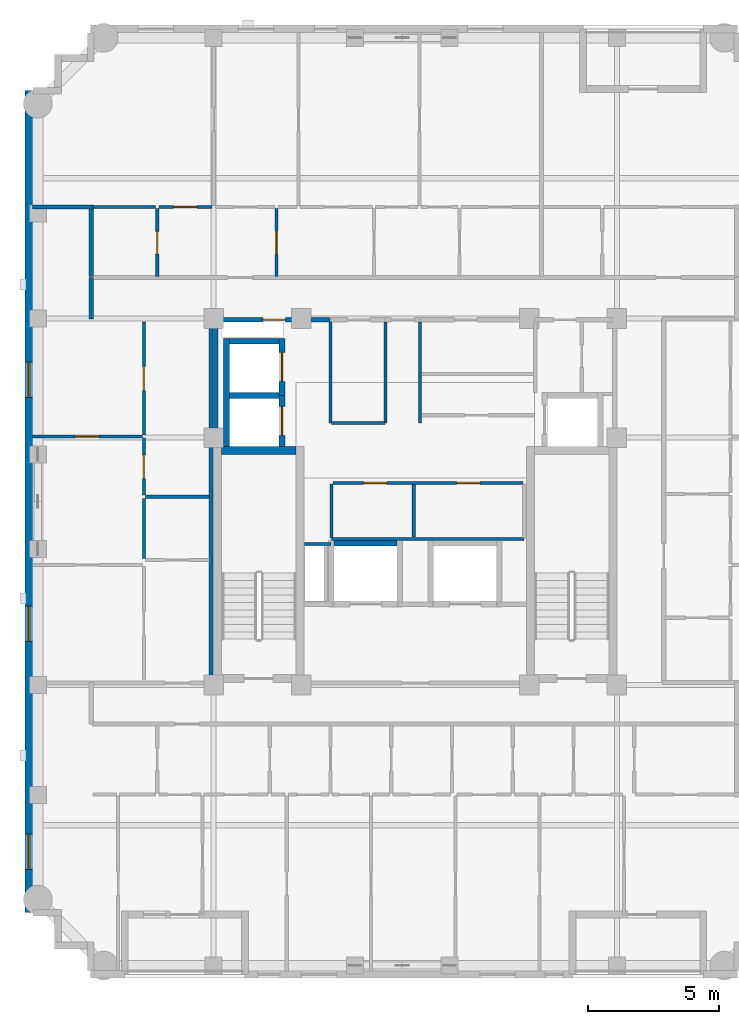
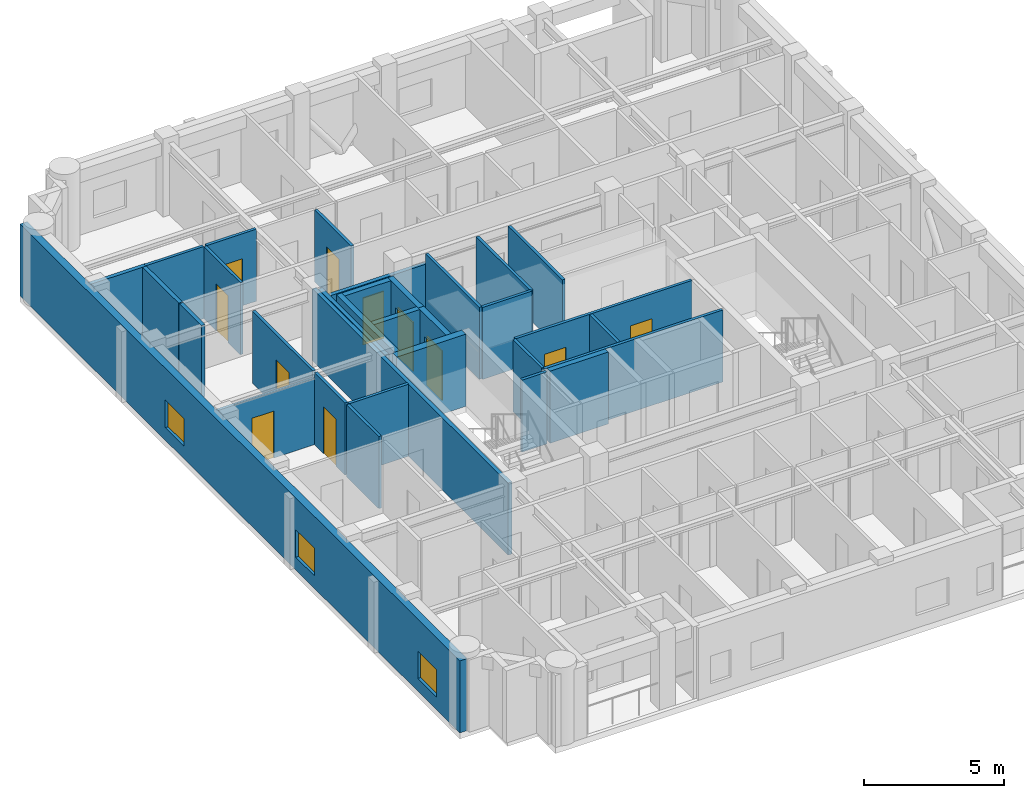
# One storey, part 5 of 11: 32 walls, 11 doors, 3 windows, 14 openings.
"""IFC4 building model written with IfcOpenShell, lengths in metres."""

from ifc_helpers import new_model, si_unit, derived_unit, direction, frame, frame_2d, origin, place, context, subcontext, project, spatial, rectangle, extrude, material, layer, layer_set, type_object, element, fill, save


model = new_model("IFC4")

# Units and contexts
model_context = context("Model", 3, precision=1e-05, world=origin(), true_north=direction((0.0, 1.0)))
body_context = subcontext(model_context, "Body", "Model", "MODEL_VIEW")
ifc_project = project(units=[si_unit("LENGTHUNIT", "METRE"), si_unit("AREAUNIT", "SQUARE_METRE"), si_unit("VOLUMEUNIT", "CUBIC_METRE"), si_unit("PLANEANGLEUNIT", "RADIAN"), si_unit("MASSUNIT", "GRAM", prefix="KILO"), derived_unit("THERMALTRANSMITTANCEUNIT", [(si_unit("MASSUNIT", "GRAM", prefix="KILO"), 1), (si_unit("TIMEUNIT", "SECOND"), -3), (si_unit("THERMODYNAMICTEMPERATUREUNIT", "KELVIN"), -1)])], contexts=[model_context])

# Site, building, storey
site_placement = place(None, origin())
site = spatial("IfcSite", under=ifc_project, at=site_placement, CompositionType="ELEMENT")
building_placement = place(site_placement, origin())
building = spatial("IfcBuilding", under=site, at=building_placement, Name="Korrvale Station Residences", CompositionType="ELEMENT")
storey_placement = place(building_placement, frame((0.0, 0.0, 230.89990234375)))
storey = spatial("IfcBuildingStorey", under=building, at=storey_placement, Name="L67", CompositionType="ELEMENT", Elevation=230.89990234375)

# Wall
ifc_material_1 = material(Name="Concrete C50/60", Category="concrete")
ifc_layer_1 = layer(ifc_material_1, 0.300048828125, Name="Concrete C50/60")
ifc_layer_set_1 = layer_set([ifc_layer_1], Name="Concrete C50/60")
wall_type_1 = type_object("IfcWallType", Name="WAL-CORE-300-C50", PredefinedType="SHEAR", material=ifc_layer_set_1)
wall_1_placement = place(storey_placement, frame((18.10009765625, 23.949951171875, 0.0), z_axis=(0.0, 0.0, 1.0), x_axis=(1.0, 0.0, 0.0)))
element("IfcWall", 1, at=wall_1_placement, inside=storey, type_object=wall_type_1, Name="L67 ST-1 Core Shear Wall North", PredefinedType="SHEAR", context=body_context, shape_type="SweptSolid", body=[
    extrude(rectangle(XDim=2.849853515625, YDim=0.300048828125, at=frame_2d((1.4248046875, 0.0))), origin(), (0.0, 0.0, 1.0), 3.14013671875),
])

# Wall, openings, windows
ifc_material_2 = material(Name="Precast concrete C45/55", Category="concrete")
ifc_layer_2 = layer(ifc_material_2, 0.300048828125, Name="Precast concrete C45/55")
ifc_layer_set_2 = layer_set([ifc_layer_2], Name="Precast concrete C45/55")
wall_type_2 = type_object("IfcWallType", Name="WAL-EXT-PC300", PredefinedType="SOLIDWALL", material=ifc_layer_set_2)
wall_2_placement = place(storey_placement, frame((10.75, 6.300048828125, 0.0), z_axis=(0.0, 0.0, 1.0), x_axis=(0.0, 1.0, 0.0)))
wall_2 = element("IfcWall", 2, at=wall_2_placement, inside=storey, type_object=wall_type_2, Name="L67 West Exterior Precast Wall 1", PredefinedType="SOLIDWALL", context=body_context, shape_type="SweptSolid", body=[
    extrude(rectangle(XDim=31.39990234375, YDim=0.300048828125, at=frame_2d((15.699951171875, 0.0))), origin(), (0.0, 0.0, 1.0), 3.14013671875),
])
opening_1_placement = place(wall_2_placement, frame((1.653076171875, 0.0, 0.550048828125)))
opening_1 = element("IfcOpeningElement", 3, at=opening_1_placement, cuts=wall_2, Name="Opening W-10", PredefinedType="OPENING", context=body_context, shape_type="SweptSolid", body=[
    extrude(rectangle(XDim=1.35009765625, YDim=1.199951171875, at=frame_2d((0.675048828125, 0.60009765625))), frame((0.0, 0.16015625, 0.0), z_axis=(0.0, -1.0, 0.0), x_axis=(1.0, 0.0, 0.0)), (0.0, 0.0, 1.0), 0.320068359375),
])
opening_2_placement = place(wall_2_placement, frame((10.366943359375, 0.0, 0.550048828125)))
opening_2 = element("IfcOpeningElement", 4, at=opening_2_placement, cuts=wall_2, Name="Opening W-10", PredefinedType="OPENING", context=body_context, shape_type="SweptSolid", body=[
    extrude(rectangle(XDim=1.35009765625, YDim=1.199951171875, at=frame_2d((0.675048828125, 0.60009765625))), frame((0.0, 0.16015625, 0.0), z_axis=(0.0, -1.0, 0.0), x_axis=(1.0, 0.0, 0.0)), (0.0, 0.0, 1.0), 0.320068359375),
])
opening_3_placement = place(wall_2_placement, frame((19.68310546875, 0.0, 0.550048828125)))
opening_3 = element("IfcOpeningElement", 5, at=opening_3_placement, cuts=wall_2, Name="Opening W-10", PredefinedType="OPENING", context=body_context, shape_type="SweptSolid", body=[
    extrude(rectangle(XDim=1.35009765625, YDim=1.199951171875, at=frame_2d((0.675048828125, 0.60009765625))), frame((0.0, 0.16015625, 0.0), z_axis=(0.0, -1.0, 0.0), x_axis=(1.0, 0.0, 0.0)), (0.0, 0.0, 1.0), 0.320068359375),
])
ifc_material_3 = material(Name="Thermally broken aluminium frame with triple low-e glazing", Category="aluminium")
window_type = type_object("IfcWindowType", Name="WIN-W10", PartitioningType="SINGLE_PANEL", PredefinedType="WINDOW", material=ifc_material_3)
window_1_placement = place(opening_1_placement, origin())
window_1 = element("IfcWindow", 6, at=window_1_placement, inside=storey, type_object=window_type, Name="L67 Punched Window 01", OverallHeight=1.199951171875, OverallWidth=1.35009765625, PartitioningType="SINGLE_PANEL", PredefinedType="WINDOW", context=body_context, shape_type="SweptSolid", body=[
    extrude(rectangle(XDim=1.35009765625, YDim=1.199951171875, at=frame_2d((0.675048828125, 0.60009765625))), frame((0.0, 0.030029296875, 0.0), z_axis=(0.0, -1.0, 0.0), x_axis=(1.0, 0.0, 0.0)), (0.0, 0.0, 1.0), 0.06005859375),
])
fill(opening_1, window_1)
window_2_placement = place(opening_2_placement, origin())
window_2 = element("IfcWindow", 7, at=window_2_placement, inside=storey, type_object=window_type, Name="L67 Punched Window 13", OverallHeight=1.199951171875, OverallWidth=1.35009765625, PartitioningType="SINGLE_PANEL", PredefinedType="WINDOW", context=body_context, shape_type="SweptSolid", body=[
    extrude(rectangle(XDim=1.35009765625, YDim=1.199951171875, at=frame_2d((0.675048828125, 0.60009765625))), frame((0.0, 0.030029296875, 0.0), z_axis=(0.0, -1.0, 0.0), x_axis=(1.0, 0.0, 0.0)), (0.0, 0.0, 1.0), 0.06005859375),
])
fill(opening_2, window_2)
window_3_placement = place(opening_3_placement, origin())
window_3 = element("IfcWindow", 8, at=window_3_placement, inside=storey, type_object=window_type, Name="L67 Punched Window 14", OverallHeight=1.199951171875, OverallWidth=1.35009765625, PartitioningType="SINGLE_PANEL", PredefinedType="WINDOW", context=body_context, shape_type="SweptSolid", body=[
    extrude(rectangle(XDim=1.35009765625, YDim=1.199951171875, at=frame_2d((0.675048828125, 0.60009765625))), frame((0.0, 0.030029296875, 0.0), z_axis=(0.0, -1.0, 0.0), x_axis=(1.0, 0.0, 0.0)), (0.0, 0.0, 1.0), 0.06005859375),
])
fill(opening_3, window_3)

# Walls
ifc_material_4 = material(Name="Acoustic steel-stud gypsum board partition", Category="steel")
ifc_layer_3 = layer(ifc_material_4, 0.1201171875, Name="Acoustic steel-stud gypsum board partition")
ifc_layer_set_3 = layer_set([ifc_layer_3], Name="Acoustic steel-stud gypsum board partition")
wall_type_3 = type_object("IfcWallType", Name="WAL-PART-125", PredefinedType="PARTITIONING", material=ifc_layer_set_3)
wall_3_placement = place(storey_placement, frame((22.280029296875, 20.3798828125, 0.0), z_axis=(0.0, 0.0, 1.0), x_axis=(-1.0, 0.0, 0.0)))
element("IfcWall", 9, at=wall_3_placement, inside=storey, type_object=wall_type_3, Name="L67 Core Partition CW-RSWT-N", PredefinedType="PARTITIONING", context=body_context, shape_type="SweptSolid", body=[
    extrude(rectangle(XDim=1.02001953125, YDim=0.1201171875, at=frame_2d((0.510009765625, 0.0))), origin(), (0.0, 0.0, 1.0), 3.14013671875),
])
for number, where, z_axis, x_axis, name in (
    (10, (24.360107421875, 25.0, 0.0), (0.0, 0.0, 1.0), (0.0, 1.0, 0.0), "L67 Core Partition CW-PSG-W"),
    (11, (25.679931640625, 25.0, 0.0), (0.0, 0.0, 1.0), (0.0, 1.0, 0.0), "L67 Core Partition CW-PSG-E"),
):
    element("IfcWall", number, at=place(storey_placement, frame(where, z_axis=z_axis, x_axis=x_axis)), inside=storey, type_object=wall_type_3, Name=name, PredefinedType="PARTITIONING", context=body_context, shape_type="SweptSolid", body=[
        extrude(rectangle(XDim=3.8701171875, YDim=0.1201171875, at=frame_2d((1.93505859375, 0.0))), origin(), (0.0, 0.0, 1.0), 3.14013671875),
    ])
wall_4_placement = place(storey_placement, frame((22.260009765625, 25.0, 0.0), z_axis=(0.0, 0.0, 1.0), x_axis=(0.0, 1.0, 0.0)))
element("IfcWall", 12, at=wall_4_placement, inside=storey, type_object=wall_type_3, Name="L67 Core Partition CW-FPLW-W", PredefinedType="PARTITIONING", context=body_context, shape_type="SweptSolid", body=[
    extrude(rectangle(XDim=3.860107421875, YDim=0.1201171875, at=frame_2d((1.93017578125, 0.0))), origin(), (0.0, 0.0, 1.0), 3.14013671875),
])
wall_5_placement = place(storey_placement, frame((22.300048828125, 25.0, 0.0), z_axis=(0.0, 0.0, 1.0), x_axis=(1.0, 0.0, 0.0)))
element("IfcWall", 13, at=wall_5_placement, inside=storey, type_object=wall_type_3, Name="L67 Core Partition CW-FPLW-S", PredefinedType="PARTITIONING", context=body_context, shape_type="SweptSolid", body=[
    extrude(rectangle(XDim=2.0400390625, YDim=0.1201171875, at=frame_2d((1.02001953125, 0.0))), origin(), (0.0, 0.0, 1.0), 3.14013671875),
])
wall_6_placement = place(storey_placement, frame((22.300048828125, 20.580078125, 0.0), z_axis=(0.0, 0.0, 1.0), x_axis=(1.0, 0.0, 0.0)))
element("IfcWall", 14, at=wall_6_placement, inside=storey, type_object=wall_type_3, Name="L67 Core Partition CW-FPM-S", PredefinedType="PARTITIONING", context=body_context, shape_type="SweptSolid", body=[
    extrude(rectangle(XDim=7.349853515625, YDim=0.1201171875, at=frame_2d((3.6748046875, 0.0))), origin(), (0.0, 0.0, 1.0), 3.14013671875),
])
wall_7_placement = place(storey_placement, frame((22.300048828125, 20.6201171875, 0.0), z_axis=(0.0, 0.0, 1.0), x_axis=(0.0, 1.0, 0.0)))
element("IfcWall", 15, at=wall_7_placement, inside=storey, type_object=wall_type_3, Name="L67 Core Partition CW-FPM-W", PredefinedType="PARTITIONING", context=body_context, shape_type="SweptSolid", body=[
    extrude(rectangle(XDim=2.059814453125, YDim=0.1201171875, at=frame_2d((1.02978515625, 0.0))), origin(), (0.0, 0.0, 1.0), 3.14013671875),
])
wall_8_placement = place(storey_placement, frame((25.43994140625, 20.64990234375, 0.0), z_axis=(0.0, 0.0, 1.0), x_axis=(0.0, 1.0, 0.0)))
element("IfcWall", 16, at=wall_8_placement, inside=storey, type_object=wall_type_3, Name="L67 Core Partition CW-FPM-M", PredefinedType="PARTITIONING", context=body_context, shape_type="SweptSolid", body=[
    extrude(rectangle(XDim=2.0, YDim=0.1201171875, at=frame_2d((1.0, 0.0))), origin(), (0.0, 0.0, 1.0), 3.14013671875),
])

# Wall, openings, doors
wall_9_placement = place(storey_placement, frame((22.35009765625, 22.719970703125, 0.0), z_axis=(0.0, 0.0, 1.0), x_axis=(1.0, 0.0, 0.0)))
wall_9 = element("IfcWall", 17, at=wall_9_placement, inside=storey, type_object=wall_type_3, Name="L67 Core Partition CW-FPM-N", PredefinedType="PARTITIONING", context=body_context, shape_type="SweptSolid", body=[
    extrude(rectangle(XDim=7.27001953125, YDim=0.1201171875, at=frame_2d((3.635009765625, 0.0))), origin(), (0.0, 0.0, 1.0), 3.14013671875),
])
opening_4_placement = place(wall_9_placement, frame((1.175048828125, 0.0, 0.0)))
opening_4 = element("IfcOpeningElement", 18, at=opening_4_placement, cuts=wall_9, Name="Opening DI-900", PredefinedType="OPENING", context=body_context, shape_type="SweptSolid", body=[
    extrude(rectangle(XDim=0.89990234375, YDim=2.050048828125, at=frame_2d((0.449951171875, 1.02490234375))), frame((0.0, 0.070068359375, 0.0), z_axis=(0.0, -1.0, 0.0), x_axis=(1.0, 0.0, 0.0)), (0.0, 0.0, 1.0), 0.14013671875),
])
opening_5_placement = place(wall_9_placement, frame((4.72509765625, 0.0, 0.0)))
opening_5 = element("IfcOpeningElement", 19, at=opening_5_placement, cuts=wall_9, Name="Opening DI-900", PredefinedType="OPENING", context=body_context, shape_type="SweptSolid", body=[
    extrude(rectangle(XDim=0.89990234375, YDim=2.050048828125, at=frame_2d((0.449951171875, 1.02490234375))), frame((0.0, 0.070068359375, 0.0), z_axis=(0.0, -1.0, 0.0), x_axis=(1.0, 0.0, 0.0)), (0.0, 0.0, 1.0), 0.14013671875),
])
ifc_material_5 = material(Name="Painted solid-core timber interior room door", Category="wood")
door_type_1 = type_object("IfcDoorType", Name="DR-INT-900", OperationType="NOTDEFINED", PredefinedType="DOOR", material=ifc_material_5)
door_1_placement = place(opening_4_placement, origin())
door_1 = element("IfcDoor", 20, at=door_1_placement, inside=storey, type_object=door_type_1, Name="L67 Sky Pantry Door", OperationType="SINGLE_SWING_RIGHT", OverallHeight=2.050048828125, OverallWidth=0.89990234375, PredefinedType="DOOR", context=body_context, shape_type="SweptSolid", body=[
    extrude(rectangle(XDim=0.89990234375, YDim=2.050048828125, at=frame_2d((0.449951171875, 1.02490234375))), frame((0.0, 0.02490234375, 0.0), z_axis=(0.0, -1.0, 0.0), x_axis=(1.0, 0.0, 0.0)), (0.0, 0.0, 1.0), 0.050048828125),
])
fill(opening_4, door_1)
door_2_placement = place(opening_5_placement, origin())
door_2 = element("IfcDoor", 21, at=door_2_placement, inside=storey, type_object=door_type_1, Name="L67 Concierge Supply Door", OperationType="SINGLE_SWING_LEFT", OverallHeight=2.050048828125, OverallWidth=0.89990234375, PredefinedType="DOOR", context=body_context, shape_type="SweptSolid", body=[
    extrude(rectangle(XDim=0.89990234375, YDim=2.050048828125, at=frame_2d((0.449951171875, 1.02490234375))), frame((0.0, 0.02490234375, 0.0), z_axis=(0.0, -1.0, 0.0), x_axis=(1.0, 0.0, 0.0)), (0.0, 0.0, 1.0), 0.050048828125),
])
fill(opening_5, door_2)

# Wall, opening, door
wall_10_placement = place(storey_placement, frame((15.639892578125, 30.60009765625, 0.0), z_axis=(0.0, 0.0, 1.0), x_axis=(0.0, 1.0, 0.0)))
wall_10 = element("IfcWall", 22, at=wall_10_placement, inside=storey, type_object=wall_type_3, Name="L67 Suite Partition U02-V01", PredefinedType="PARTITIONING", context=body_context, shape_type="SweptSolid", body=[
    extrude(rectangle(XDim=2.599853515625, YDim=0.1201171875, at=frame_2d((1.2998046875, 0.0))), origin(), (0.0, 0.0, 1.0), 3.14013671875),
])
opening_6_placement = place(wall_10_placement, frame((0.8701171875, 0.0, 0.0)))
opening_6 = element("IfcOpeningElement", 23, at=opening_6_placement, cuts=wall_10, Name="Opening DB-860", PredefinedType="OPENING", context=body_context, shape_type="SweptSolid", body=[
    extrude(rectangle(XDim=0.860107421875, YDim=2.050048828125, at=frame_2d((0.43017578125, 1.02490234375))), frame((0.0, 0.070068359375, 0.0), z_axis=(0.0, -1.0, 0.0), x_axis=(1.0, 0.0, 0.0)), (0.0, 0.0, 1.0), 0.14013671875),
])
ifc_material_6 = material(Name="Moisture-resistant solid-core bathroom door", Category="timber")
door_type_2 = type_object("IfcDoorType", Name="DR-BATH-860", OperationType="NOTDEFINED", PredefinedType="DOOR", material=ifc_material_6)
door_3_placement = place(opening_6_placement, origin())
door_3 = element("IfcDoor", 24, at=door_3_placement, inside=storey, type_object=door_type_2, Name="L67 Apartment 2BR L67-U02 Bathroom Door", OperationType="SINGLE_SWING_RIGHT", OverallHeight=2.050048828125, OverallWidth=0.860107421875, PredefinedType="DOOR", context=body_context, shape_type="SweptSolid", body=[
    extrude(rectangle(XDim=0.860107421875, YDim=2.050048828125, at=frame_2d((0.43017578125, 1.02490234375))), frame((0.0, 0.02490234375, 0.0), z_axis=(0.0, -1.0, 0.0), x_axis=(1.0, 0.0, 0.0)), (0.0, 0.0, 1.0), 0.050048828125),
])
fill(opening_6, door_3)

# Wall
wall_11_placement = place(storey_placement, frame((13.179931640625, 33.260009765625, 0.0), z_axis=(0.0, 0.0, 1.0), x_axis=(1.0, 0.0, 0.0)))
element("IfcWall", 25, at=wall_11_placement, inside=storey, type_object=wall_type_3, Name="L67 Suite Partition U02-H05", PredefinedType="PARTITIONING", context=body_context, shape_type="SweptSolid", body=[
    extrude(rectangle(XDim=2.400146484375, YDim=0.1201171875, at=frame_2d((1.2001953125, 0.0))), origin(), (0.0, 0.0, 1.0), 3.14013671875),
])

# Wall, opening, door
wall_12_placement = place(storey_placement, frame((20.199951171875, 30.60009765625, 0.0), z_axis=(0.0, 0.0, 1.0), x_axis=(0.0, 1.0, 0.0)))
wall_12 = element("IfcWall", 26, at=wall_12_placement, inside=storey, type_object=wall_type_3, Name="L67 Suite Partition U02-V12", PredefinedType="PARTITIONING", context=body_context, shape_type="SweptSolid", body=[
    extrude(rectangle(XDim=2.599853515625, YDim=0.1201171875, at=frame_2d((1.2998046875, 0.0))), origin(), (0.0, 0.0, 1.0), 3.14013671875),
])
opening_7_placement = place(wall_12_placement, frame((0.85009765625, 0.0, 0.0)))
opening_7 = element("IfcOpeningElement", 27, at=opening_7_placement, cuts=wall_12, Name="Opening DI-900", PredefinedType="OPENING", context=body_context, shape_type="SweptSolid", body=[
    extrude(rectangle(XDim=0.89990234375, YDim=2.050048828125, at=frame_2d((0.449951171875, 1.02490234375))), frame((0.0, 0.070068359375, 0.0), z_axis=(0.0, -1.0, 0.0), x_axis=(1.0, 0.0, 0.0)), (0.0, 0.0, 1.0), 0.14013671875),
])
door_4_placement = place(opening_7_placement, origin())
door_4 = element("IfcDoor", 28, at=door_4_placement, inside=storey, type_object=door_type_1, Name="L67 Apartment 2BR L67-U02 Kitchen Door", OperationType="SINGLE_SWING_LEFT", OverallHeight=2.050048828125, OverallWidth=0.89990234375, PredefinedType="DOOR", context=body_context, shape_type="SweptSolid", body=[
    extrude(rectangle(XDim=0.89990234375, YDim=2.050048828125, at=frame_2d((0.449951171875, 1.02490234375))), frame((0.0, 0.02490234375, 0.0), z_axis=(0.0, -1.0, 0.0), x_axis=(1.0, 0.0, 0.0)), (0.0, 0.0, 1.0), 0.050048828125),
])
fill(opening_7, door_4)

wall_13_placement = place(storey_placement, frame((15.699951171875, 33.260009765625, 0.0), z_axis=(0.0, 0.0, 1.0), x_axis=(1.0, 0.0, 0.0)))
wall_13 = element("IfcWall", 29, at=wall_13_placement, inside=storey, type_object=wall_type_3, Name="L67 Suite Partition U02-H15", PredefinedType="PARTITIONING", context=body_context, shape_type="SweptSolid", body=[
    extrude(rectangle(XDim=2.0400390625, YDim=0.1201171875, at=frame_2d((1.02001953125, 0.0))), origin(), (0.0, 0.0, 1.0), 3.14013671875),
])
opening_8_placement = place(wall_13_placement, frame((0.570068359375, 0.0, 0.0)))
opening_8 = element("IfcOpeningElement", 30, at=opening_8_placement, cuts=wall_13, Name="Opening DI-900", PredefinedType="OPENING", context=body_context, shape_type="SweptSolid", body=[
    extrude(rectangle(XDim=0.89990234375, YDim=2.050048828125, at=frame_2d((0.449951171875, 1.02490234375))), frame((0.0, 0.070068359375, 0.0), z_axis=(0.0, -1.0, 0.0), x_axis=(1.0, 0.0, 0.0)), (0.0, 0.0, 1.0), 0.14013671875),
])
door_5_placement = place(opening_8_placement, origin())
door_5 = element("IfcDoor", 31, at=door_5_placement, inside=storey, type_object=door_type_1, Name="L67 Apartment 2BR L67-U02 Kitchen Door", OperationType="SINGLE_SWING_RIGHT", OverallHeight=2.050048828125, OverallWidth=0.89990234375, PredefinedType="DOOR", context=body_context, shape_type="SweptSolid", body=[
    extrude(rectangle(XDim=0.89990234375, YDim=2.050048828125, at=frame_2d((0.449951171875, 1.02490234375))), frame((0.0, 0.02490234375, 0.0), z_axis=(0.0, -1.0, 0.0), x_axis=(1.0, 0.0, 0.0)), (0.0, 0.0, 1.0), 0.050048828125),
])
fill(opening_8, door_5)

# Wall
wall_14_placement = place(storey_placement, frame((15.18994140625, 22.18994140625, 0.0), z_axis=(0.0, 0.0, 1.0), x_axis=(1.0, 0.0, 0.0)))
element("IfcWall", 32, at=wall_14_placement, inside=storey, type_object=wall_type_3, Name="L67 Suite Partition U04-H01", PredefinedType="PARTITIONING", context=body_context, shape_type="SweptSolid", body=[
    extrude(rectangle(XDim=2.449951171875, YDim=0.1201171875, at=frame_2d((1.22509765625, 0.0))), origin(), (0.0, 0.0, 1.0), 3.14013671875),
])

# Wall, opening, door
wall_15_placement = place(storey_placement, frame((15.1298828125, 22.25, 0.0), z_axis=(0.0, 0.0, 1.0), x_axis=(0.0, 1.0, 0.0)))
wall_15 = element("IfcWall", 33, at=wall_15_placement, inside=storey, type_object=wall_type_3, Name="L67 Suite Partition U04-V04", PredefinedType="PARTITIONING", context=body_context, shape_type="SweptSolid", body=[
    extrude(rectangle(XDim=2.181884765625, YDim=0.1201171875, at=frame_2d((1.0908203125, 0.0))), origin(), (0.0, 0.0, 1.0), 3.14013671875),
])
opening_9_placement = place(wall_15_placement, frame((0.64111328125, 0.0, 0.0)))
opening_9 = element("IfcOpeningElement", 34, at=opening_9_placement, cuts=wall_15, Name="Opening DI-900", PredefinedType="OPENING", context=body_context, shape_type="SweptSolid", body=[
    extrude(rectangle(XDim=0.89990234375, YDim=2.050048828125, at=frame_2d((0.449951171875, 1.02490234375))), frame((0.0, 0.070068359375, 0.0), z_axis=(0.0, -1.0, 0.0), x_axis=(1.0, 0.0, 0.0)), (0.0, 0.0, 1.0), 0.14013671875),
])
door_6_placement = place(opening_9_placement, origin())
door_6 = element("IfcDoor", 35, at=door_6_placement, inside=storey, type_object=door_type_1, Name="L67 Apartment 2BR L67-U04 Wardrobe Storage Room Door", OperationType="SINGLE_SWING_RIGHT", OverallHeight=2.050048828125, OverallWidth=0.89990234375, PredefinedType="DOOR", context=body_context, shape_type="SweptSolid", body=[
    extrude(rectangle(XDim=0.89990234375, YDim=2.050048828125, at=frame_2d((0.449951171875, 1.02490234375))), frame((0.0, 0.02490234375, 0.0), z_axis=(0.0, -1.0, 0.0), x_axis=(1.0, 0.0, 0.0)), (0.0, 0.0, 1.0), 0.050048828125),
])
fill(opening_9, door_6)

wall_16_placement = place(storey_placement, frame((15.1298828125, 24.552001953125, 0.0), z_axis=(0.0, 0.0, 1.0), x_axis=(0.0, 1.0, 0.0)))
wall_16 = element("IfcWall", 36, at=wall_16_placement, inside=storey, type_object=wall_type_3, Name="L67 Suite Partition U04-V05", PredefinedType="PARTITIONING", context=body_context, shape_type="SweptSolid", body=[
    extrude(rectangle(XDim=4.30810546875, YDim=0.1201171875, at=frame_2d((2.154052734375, 0.0))), origin(), (0.0, 0.0, 1.0), 3.14013671875),
])
opening_10_placement = place(wall_16_placement, frame((1.7041015625, 0.0, 0.0)))
opening_10 = element("IfcOpeningElement", 37, at=opening_10_placement, cuts=wall_16, Name="Opening DI-900", PredefinedType="OPENING", context=body_context, shape_type="SweptSolid", body=[
    extrude(rectangle(XDim=0.89990234375, YDim=2.050048828125, at=frame_2d((0.449951171875, 1.02490234375))), frame((0.0, 0.070068359375, 0.0), z_axis=(0.0, -1.0, 0.0), x_axis=(1.0, 0.0, 0.0)), (0.0, 0.0, 1.0), 0.14013671875),
])
door_7_placement = place(opening_10_placement, origin())
door_7 = element("IfcDoor", 38, at=door_7_placement, inside=storey, type_object=door_type_1, Name="L67 Apartment 2BR L67-U04 Wardrobe Storage Room Door", OperationType="SINGLE_SWING_LEFT", OverallHeight=2.050048828125, OverallWidth=0.89990234375, PredefinedType="DOOR", context=body_context, shape_type="SweptSolid", body=[
    extrude(rectangle(XDim=0.89990234375, YDim=2.050048828125, at=frame_2d((0.449951171875, 1.02490234375))), frame((0.0, 0.02490234375, 0.0), z_axis=(0.0, -1.0, 0.0), x_axis=(1.0, 0.0, 0.0)), (0.0, 0.0, 1.0), 0.050048828125),
])
fill(opening_10, door_7)

# Wall
wall_17_placement = place(storey_placement, frame((15.1298828125, 19.830078125, 0.0), z_axis=(0.0, 0.0, 1.0), x_axis=(0.0, 1.0, 0.0)))
element("IfcWall", 39, at=wall_17_placement, inside=storey, type_object=wall_type_3, Name="L67 Suite Partition U04-V14", PredefinedType="PARTITIONING", context=body_context, shape_type="SweptSolid", body=[
    extrude(rectangle(XDim=2.2998046875, YDim=0.1201171875, at=frame_2d((1.14990234375, 0.0))), origin(), (0.0, 0.0, 1.0), 3.14013671875),
])

# Wall, opening, door
wall_18_placement = place(storey_placement, frame((10.8798828125, 24.491943359375, 0.0), z_axis=(0.0, 0.0, 1.0), x_axis=(1.0, 0.0, 0.0)))
wall_18 = element("IfcWall", 40, at=wall_18_placement, inside=storey, type_object=wall_type_3, Name="L67 Suite Partition U04-H45", PredefinedType="PARTITIONING", context=body_context, shape_type="SweptSolid", body=[
    extrude(rectangle(XDim=4.190185546875, YDim=0.1201171875, at=frame_2d((2.09521484375, 0.0))), origin(), (0.0, 0.0, 1.0), 2.878173828125),
])
opening_11_placement = place(wall_18_placement, frame((1.6298828125, 0.0, 0.0)))
opening_11 = element("IfcOpeningElement", 41, at=opening_11_placement, cuts=wall_18, Name="Opening DI-900", PredefinedType="OPENING", context=body_context, shape_type="SweptSolid", body=[
    extrude(rectangle(XDim=0.89990234375, YDim=2.050048828125, at=frame_2d((0.449951171875, 1.02490234375))), frame((0.0, 0.070068359375, 0.0), z_axis=(0.0, -1.0, 0.0), x_axis=(1.0, 0.0, 0.0)), (0.0, 0.0, 1.0), 0.14013671875),
])
door_8_placement = place(opening_11_placement, origin())
door_8 = element("IfcDoor", 42, at=door_8_placement, inside=storey, type_object=door_type_1, Name="L67 Apartment 2BR L67-U04 Living and Dining Room Door", OperationType="SINGLE_SWING_LEFT", OverallHeight=2.050048828125, OverallWidth=0.89990234375, PredefinedType="DOOR", context=body_context, shape_type="SweptSolid", body=[
    extrude(rectangle(XDim=0.89990234375, YDim=2.050048828125, at=frame_2d((0.449951171875, 1.02490234375))), frame((0.0, 0.02490234375, 0.0), z_axis=(0.0, -1.0, 0.0), x_axis=(1.0, 0.0, 0.0)), (0.0, 0.0, 1.0), 0.050048828125),
])
fill(opening_11, door_8)

# Wall
ifc_material_7 = material(Name="Fire-rated twin-stud gypsum and mineral wool shaftwall assembly", Category="gypsum")
ifc_layer_4 = layer(ifc_material_7, 0.159912109375, Name="Fire-rated twin-stud gypsum and mineral wool shaftwall assembly")
ifc_layer_set_4 = layer_set([ifc_layer_4], Name="Fire-rated twin-stud gypsum and mineral wool shaftwall assembly")
wall_type_4 = type_object("IfcWallType", Name="WAL-PART-200", PredefinedType="PARTITIONING", material=ifc_layer_set_4)
wall_19_placement = place(storey_placement, frame((17.8798828125, 24.1201171875, 0.0), z_axis=(0.0, 0.0, 1.0), x_axis=(0.0, 1.0, 0.0)))
element("IfcWall", 43, at=wall_19_placement, inside=storey, type_object=wall_type_4, Name="L67 Core Partition CW-W-N", PredefinedType="PARTITIONING", context=body_context, shape_type="SweptSolid", body=[
    extrude(rectangle(XDim=4.759765625, YDim=0.159912109375, at=frame_2d((2.3798828125, 0.0))), origin(), (0.0, 0.0, 1.0), 3.14013671875),
])

# Wall, opening, door
wall_20_placement = place(storey_placement, frame((17.9599609375, 28.949951171875, 0.0), z_axis=(0.0, 0.0, 1.0), x_axis=(1.0, 0.0, 0.0)))
wall_20 = element("IfcWall", 44, at=wall_20_placement, inside=storey, type_object=wall_type_4, Name="L67 Core Partition CW-NW", PredefinedType="PARTITIONING", context=body_context, shape_type="SweptSolid", body=[
    extrude(rectangle(XDim=4.2900390625, YDim=0.159912109375, at=frame_2d((2.14501953125, 0.0))), origin(), (0.0, 0.0, 1.0), 2.668212890625),
])
opening_12_placement = place(wall_20_placement, frame((1.715087890625, 0.0, 0.0)))
opening_12 = element("IfcOpeningElement", 45, at=opening_12_placement, cuts=wall_20, Name="Opening DB-860", PredefinedType="OPENING", context=body_context, shape_type="SweptSolid", body=[
    extrude(rectangle(XDim=0.860107421875, YDim=2.050048828125, at=frame_2d((0.43017578125, 1.02490234375))), frame((0.0, 0.08984375, 0.0), z_axis=(0.0, -1.0, 0.0), x_axis=(1.0, 0.0, 0.0)), (0.0, 0.0, 1.0), 0.179931640625),
])
door_9_placement = place(opening_12_placement, origin())
door_9 = element("IfcDoor", 46, at=door_9_placement, inside=storey, type_object=door_type_2, Name="L67 Electrical Riser Access Door", OperationType="SINGLE_SWING_RIGHT", OverallHeight=2.050048828125, OverallWidth=0.860107421875, PredefinedType="DOOR", context=body_context, shape_type="SweptSolid", body=[
    extrude(rectangle(XDim=0.860107421875, YDim=2.050048828125, at=frame_2d((0.43017578125, 1.02490234375))), frame((0.0, 0.02490234375, 0.0), z_axis=(0.0, -1.0, 0.0), x_axis=(1.0, 0.0, 0.0)), (0.0, 0.0, 1.0), 0.050048828125),
])
fill(opening_12, door_9)

# Walls
wall_21_placement = place(storey_placement, frame((13.1201171875, 28.97998046875, 0.0), z_axis=(0.0, 0.0, 1.0), x_axis=(0.0, 1.0, 0.0)))
element("IfcWall", 47, at=wall_21_placement, inside=storey, type_object=wall_type_4, Name="L67 Corridor North West Cap", PredefinedType="PARTITIONING", context=body_context, shape_type="SweptSolid", body=[
    extrude(rectangle(XDim=1.580078125, YDim=0.159912109375, at=frame_2d((0.7900390625, 0.0))), origin(), (0.0, 0.0, 1.0), 3.14013671875),
])
wall_22_placement = place(storey_placement, frame((10.8798828125, 33.260009765625, 0.0), z_axis=(0.0, 0.0, 1.0), x_axis=(1.0, 0.0, 0.0)))
element("IfcWall", 48, at=wall_22_placement, inside=storey, type_object=wall_type_4, Name="L67 Corner Step Wall U02-L", PredefinedType="PARTITIONING", context=body_context, shape_type="SweptSolid", body=[
    extrude(rectangle(XDim=2.340087890625, YDim=0.159912109375, at=frame_2d((1.169921875, 0.0))), origin(), (0.0, 0.0, 1.0), 3.14013671875),
])
wall_23_placement = place(storey_placement, frame((13.1201171875, 30.60009765625, 0.0), z_axis=(0.0, 0.0, 1.0), x_axis=(0.0, 1.0, 0.0)))
element("IfcWall", 49, at=wall_23_placement, inside=storey, type_object=wall_type_4, Name="L67 Corner Step Cheek U02-L", PredefinedType="PARTITIONING", context=body_context, shape_type="SweptSolid", body=[
    extrude(rectangle(XDim=2.659912109375, YDim=0.159912109375, at=frame_2d((1.330078125, 0.0))), origin(), (0.0, 0.0, 1.0), 3.14013671875),
])
wall_24_placement = place(storey_placement, frame((17.699951171875, 15.02001953125, 0.0), z_axis=(0.0, 0.0, 1.0), x_axis=(0.0, 1.0, 0.0)))
element("IfcWall", 50, at=wall_24_placement, inside=storey, type_object=wall_type_4, Name="L67 Rated Corridor Wall W", PredefinedType="PARTITIONING", context=body_context, shape_type="SweptSolid", body=[
    extrude(rectangle(XDim=13.97998046875, YDim=0.159912109375, at=frame_2d((6.989990234375, 0.0))), origin(), (0.0, 0.0, 1.0), 3.14013671875),
])
ifc_layer_5 = layer(ifc_material_1, 0.219970703125, Name="Concrete C50/60")
ifc_layer_set_5 = layer_set([ifc_layer_5], Name="Concrete C50/60")
wall_type_5 = type_object("IfcWallType", Name="WAL-SHAFT-220-C50", PredefinedType="SHEAR", material=ifc_layer_set_5)
wall_25_placement = place(storey_placement, frame((18.2900390625, 24.10009765625, 0.0), z_axis=(0.0, 0.0, 1.0), x_axis=(0.0, 1.0, 0.0)))
element("IfcWall", 51, at=wall_25_placement, inside=storey, type_object=wall_type_5, Name="L67 Elevator PH-1 Hoistway Wall West", PredefinedType="SHEAR", context=body_context, shape_type="SweptSolid", body=[
    extrude(rectangle(XDim=4.139892578125, YDim=0.219970703125, at=frame_2d((2.06982421875, 0.0))), origin(), (0.0, 0.0, 1.0), 3.14013671875),
])

# Wall, opening, door
wall_26_placement = place(storey_placement, frame((20.409912109375, 24.10009765625, 0.0), z_axis=(0.0, 0.0, 1.0), x_axis=(0.0, 1.0, 0.0)))
wall_26 = element("IfcWall", 52, at=wall_26_placement, inside=storey, type_object=wall_type_5, Name="L67 Elevator PH-1 Hoistway Wall East", PredefinedType="SHEAR", context=body_context, shape_type="SweptSolid", body=[
    extrude(rectangle(XDim=1.9599609375, YDim=0.219970703125, at=frame_2d((0.97998046875, 0.0))), origin(), (0.0, 0.0, 1.0), 3.14013671875),
])
opening_13_placement = place(wall_26_placement, frame((0.429931640625, 0.0, 0.0)))
opening_13 = element("IfcOpeningElement", 53, at=opening_13_placement, cuts=wall_26, Name="Opening LD-1100", PredefinedType="OPENING", context=body_context, shape_type="SweptSolid", body=[
    extrude(rectangle(XDim=1.10009765625, YDim=2.14990234375, at=frame_2d((0.550048828125, 1.074951171875))), frame((0.0, 0.1201171875, 0.0), z_axis=(0.0, -1.0, 0.0), x_axis=(1.0, 0.0, 0.0)), (0.0, 0.0, 1.0), 0.239990234375),
])
ifc_material_8 = material(Name="Brushed stainless-steel elevator landing sliding door", Category="steel")
door_type_3 = type_object("IfcDoorType", Name="DR-LIFT-1100", OperationType="SLIDING_TO_LEFT", PredefinedType="DOOR", material=ifc_material_8)
door_10_placement = place(opening_13_placement, origin())
door_10 = element("IfcDoor", 54, at=door_10_placement, inside=storey, type_object=door_type_3, Name="L67 Elevator PH-1 Sliding Landing Door", OperationType="SLIDING_TO_LEFT", OverallHeight=2.14990234375, OverallWidth=1.10009765625, PredefinedType="DOOR", context=body_context, shape_type="SweptSolid", body=[
    extrude(rectangle(XDim=1.10009765625, YDim=2.14990234375, at=frame_2d((0.550048828125, 1.074951171875))), frame((0.0, 0.02490234375, 0.0), z_axis=(0.0, -1.0, 0.0), x_axis=(1.0, 0.0, 0.0)), (0.0, 0.0, 1.0), 0.050048828125),
])
fill(opening_13, door_10)

# Walls
for number, where, z_axis, x_axis, name in (
    (55, (18.39990234375, 26.06005859375, 0.0), (0.0, 0.0, 1.0), (1.0, 0.0, 0.0), "L67 Elevator PH-2 Hoistway Wall South"),
    (56, (18.39990234375, 28.1298828125, 0.0), (0.0, 0.0, 1.0), (1.0, 0.0, 0.0), "L67 Elevator PH-2 Hoistway Wall North"),
):
    element("IfcWall", number, at=place(storey_placement, frame(where, z_axis=z_axis, x_axis=x_axis)), inside=storey, type_object=wall_type_5, Name=name, PredefinedType="SHEAR", context=body_context, shape_type="SweptSolid", body=[
        extrude(rectangle(XDim=1.900146484375, YDim=0.219970703125, at=frame_2d((0.9501953125, 0.0))), origin(), (0.0, 0.0, 1.0), 3.14013671875),
    ])

# Wall, opening, door
wall_27_placement = place(storey_placement, frame((20.409912109375, 26.06005859375, 0.0), z_axis=(0.0, 0.0, 1.0), x_axis=(0.0, 1.0, 0.0)))
wall_27 = element("IfcWall", 57, at=wall_27_placement, inside=storey, type_object=wall_type_5, Name="L67 Elevator PH-2 Hoistway Wall East", PredefinedType="SHEAR", context=body_context, shape_type="SweptSolid", body=[
    extrude(rectangle(XDim=2.179931640625, YDim=0.219970703125, at=frame_2d((1.08984375, 0.0))), origin(), (0.0, 0.0, 1.0), 3.14013671875),
])
opening_14_placement = place(wall_27_placement, frame((0.5400390625, 0.0, 0.0)))
opening_14 = element("IfcOpeningElement", 58, at=opening_14_placement, cuts=wall_27, Name="Opening LD-1100", PredefinedType="OPENING", context=body_context, shape_type="SweptSolid", body=[
    extrude(rectangle(XDim=1.10009765625, YDim=2.14990234375, at=frame_2d((0.550048828125, 1.074951171875))), frame((0.0, 0.1201171875, 0.0), z_axis=(0.0, -1.0, 0.0), x_axis=(1.0, 0.0, 0.0)), (0.0, 0.0, 1.0), 0.239990234375),
])
door_11_placement = place(opening_14_placement, origin())
door_11 = element("IfcDoor", 59, at=door_11_placement, inside=storey, type_object=door_type_3, Name="L67 Elevator PH-2 Sliding Landing Door", OperationType="SLIDING_TO_LEFT", OverallHeight=2.14990234375, OverallWidth=1.10009765625, PredefinedType="DOOR", context=body_context, shape_type="SweptSolid", body=[
    extrude(rectangle(XDim=1.10009765625, YDim=2.14990234375, at=frame_2d((0.550048828125, 1.074951171875))), frame((0.0, 0.02490234375, 0.0), z_axis=(0.0, -1.0, 0.0), x_axis=(1.0, 0.0, 0.0)), (0.0, 0.0, 1.0), 0.050048828125),
])
fill(opening_14, door_11)

# Wall
wall_28_placement = place(storey_placement, frame((22.39990234375, 20.409912109375, 0.0), z_axis=(0.0, 0.0, 1.0), x_axis=(1.0, 0.0, 0.0)))
element("IfcWall", 60, at=wall_28_placement, inside=storey, type_object=wall_type_5, Name="L67 Elevator FFL-1 Hoistway Wall North", PredefinedType="SHEAR", context=body_context, shape_type="SweptSolid", body=[
    extrude(rectangle(XDim=2.400146484375, YDim=0.219970703125, at=frame_2d((1.2001953125, 0.0))), origin(), (0.0, 0.0, 1.0), 3.14013671875),
])

save(model, "model.ifc")
